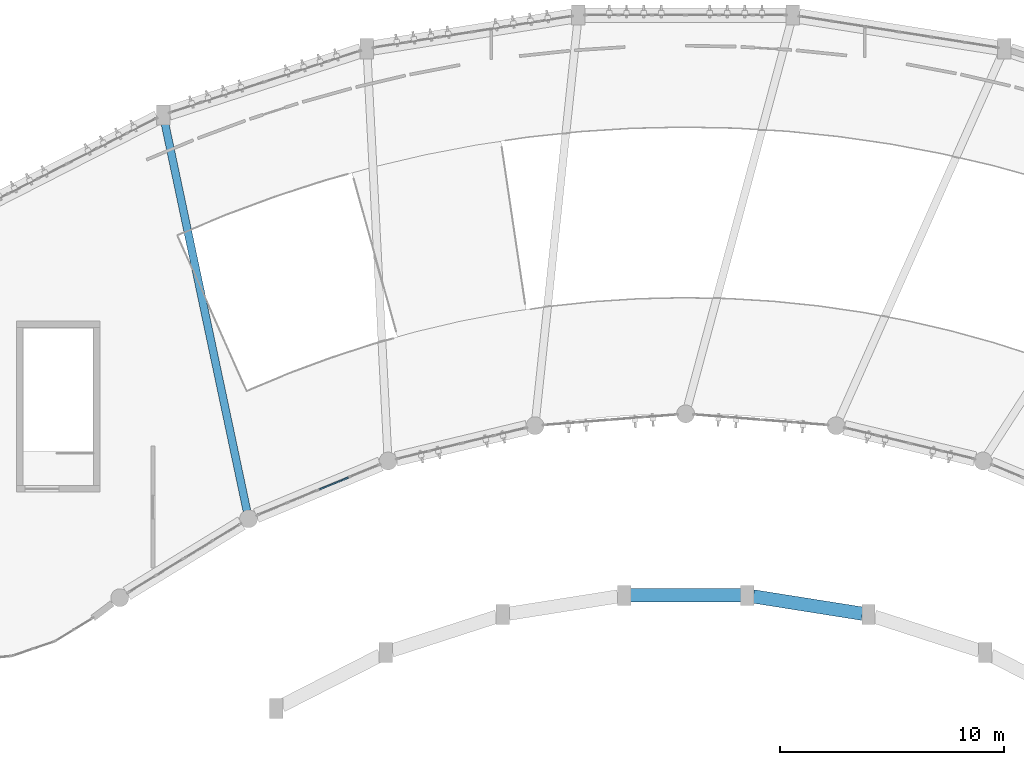
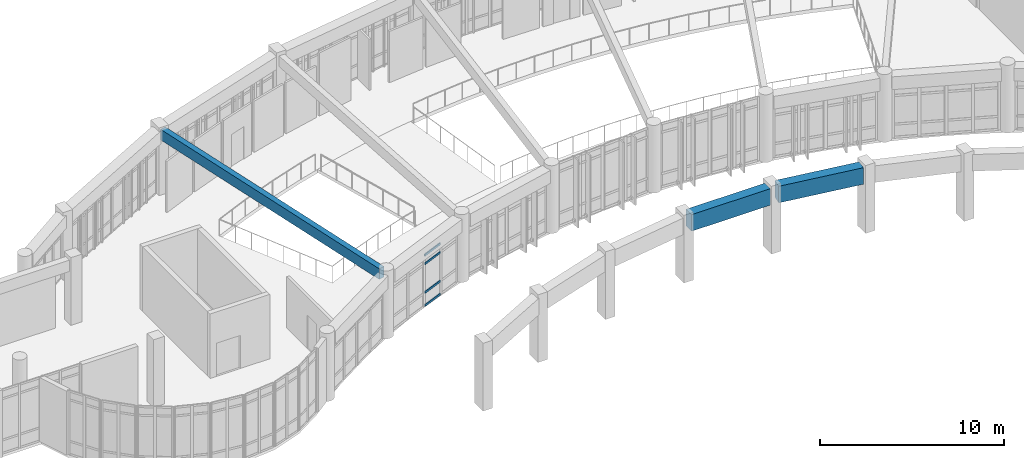
# One storey, part 13 of 54: 4 members, 3 beams, 1 element without a shape of its own.
"""IFC4 building model written with IfcOpenShell, lengths in metres."""

from ifc_helpers import new_model, si_unit, direction, frame, origin, origin_2d, place, context, subcontext, project, spatial, rectangle, extrude, material, layer, layer_set, material_profile, profile_set, type_object, element, aggregate, save


model = new_model("IFC4")

# Units and contexts
model_context = context("Model", 3, precision=1e-05, world=origin(), true_north=direction((0.0, 1.0)))
body_context = subcontext(model_context, "Body", "Model", "MODEL_VIEW")
ifc_project = project(units=[si_unit("LENGTHUNIT", "METRE"), si_unit("AREAUNIT", "SQUARE_METRE"), si_unit("VOLUMEUNIT", "CUBIC_METRE"), si_unit("PLANEANGLEUNIT", "RADIAN"), si_unit("MASSUNIT", "GRAM", prefix="KILO")], contexts=[model_context])

# Site, building, storey
site_placement = place(None, origin())
site = spatial("IfcSite", under=ifc_project, at=site_placement, CompositionType="ELEMENT")
building_placement = place(site_placement, origin())
building = spatial("IfcBuilding", under=site, at=building_placement, Name="Miralva Faculty of Natural Sciences", CompositionType="ELEMENT")
storey_placement = place(building_placement, frame((0.0, 0.0, 19.5)))
storey = spatial("IfcBuildingStorey", under=building, at=storey_placement, Name="L04", CompositionType="ELEMENT", Elevation=19.5)

# Beams
ifc_material_1 = material(Name="Concrete C40/50", Category="concrete")
ifc_material_profile_1 = material_profile(ifc_material_1, rectangle(XDim=0.35009765625, YDim=0.699951171875, at=origin_2d()), Name="RC 350x700")
ifc_profile_set_1 = profile_set([ifc_material_profile_1], Name="Concrete C40/50")
beam_type_1 = type_object("IfcBeamType", Name="BM-B04", PredefinedType="BEAM", material=ifc_profile_set_1)
beam_1_placement = place(storey_placement, frame((70.40380859375, 17.669921875, 3.909912109375), z_axis=(-0.207051718989, 0.978329998346, 0.0), x_axis=(-0.978329998346, -0.207051718989, 0.0)))
element("IfcBeam", 1, at=beam_1_placement, inside=storey, type_object=beam_type_1, Name="Swept-arc radial girder L04-8", PredefinedType="BEAM", context=body_context, shape_type="SweptSolid", body=[
    extrude(rectangle(XDim=0.35009765625, YDim=0.699951171875, at=origin_2d()), origin(), (0.0, 0.0, 1.0), 17.805908203125),
])
ifc_material_profile_2 = material_profile(ifc_material_1, rectangle(XDim=0.60009765625, YDim=1.10009765625, at=origin_2d()), Name="RC 600x1100")
ifc_profile_set_2 = profile_set([ifc_material_profile_2], Name="Concrete C40/50")
beam_type_2 = type_object("IfcBeamType", Name="BM-TG01", PredefinedType="BEAM", material=ifc_profile_set_2)
beam_2_placement = place(storey_placement, frame((97.8974609375, 13.0732421875, 3.7099609375), z_axis=(-0.987645980672, 0.156701681112, 0.0), x_axis=(-0.156701681112, -0.987645980672, 0.0)))
element("IfcBeam", 2, at=beam_2_placement, inside=storey, type_object=beam_type_2, Name="Curved chord girder SHIN L04-3", PredefinedType="BEAM", context=body_context, shape_type="SweptSolid", body=[
    extrude(rectangle(XDim=0.60009765625, YDim=1.10009765625, at=origin_2d()), origin(), (0.0, 0.0, 1.0), 4.935791015625),
])
beam_3_placement = place(storey_placement, frame((92.47412109375, 13.889892578125, 3.7099609375), z_axis=(-1.0, 0.0, 0.0), x_axis=(0.0, -1.0, 0.0)))
element("IfcBeam", 3, at=beam_3_placement, inside=storey, type_object=beam_type_2, Name="Curved chord girder SHIN L04-4", PredefinedType="BEAM", context=body_context, shape_type="SweptSolid", body=[
    extrude(rectangle(XDim=0.60009765625, YDim=1.10009765625, at=origin_2d()), origin(), (0.0, 0.0, 1.0), 4.9482421875),
])

# Curtain wall, members
ifc_material_2 = material(Name="Laminated solar-control glass", Category="glass")
ifc_layer = layer(ifc_material_2, 0.179931640625, Name="CW-ARC-L03")
ifc_layer_set = layer_set([ifc_layer], Name="Laminated solar-control glass")
curtain_wall_type = type_object("IfcCurtainWallType", Name="CW-ARC-L03", PredefinedType="USERDEFINED", material=ifc_layer_set)
curtain_wall_placement = place(storey_placement, origin())
curtain_wall = element("IfcCurtainWall", 4, at=curtain_wall_placement, inside=storey, type_object=curtain_wall_type, Name="Curtain wall CW-03 L04-160", ObjectType="UNITISED CURTAIN WALL", PredefinedType="USERDEFINED")
ifc_material_3 = material(Name="Anodised aluminium", Category="aluminium")
ifc_material_profile_3 = material_profile(ifc_material_3, rectangle(XDim=0.06494140625, YDim=0.139892578125, at=origin_2d()), Name="TRANSOM 65x140")
ifc_profile_set_3 = profile_set([ifc_material_profile_3], Name="Anodised aluminium")
member_type = type_object("IfcMemberType", Name="CW-T01", PredefinedType="USERDEFINED", material=ifc_profile_set_3)
member_1_placement = place(storey_placement, frame((73.650634765625, 18.62744140625, 0.032470703125), z_axis=(0.923883575944, 0.382673670509, 0.0), x_axis=(-0.382673670509, 0.923883575944, 0.0)))
member_1 = element("IfcMember", 5, at=member_1_placement, type_object=member_type, Name="CW-03 transom 1.1", ObjectType="TRANSOM", PredefinedType="USERDEFINED", context=body_context, shape_type="SweptSolid", body=[
    extrude(rectangle(XDim=0.06494140625, YDim=0.139892578125, at=origin_2d()), origin(), (0.0, 0.0, 1.0), 1.384521484375),
])
member_2_placement = place(storey_placement, frame((73.650634765625, 18.62744140625, 0.89990234375), z_axis=(0.923883575944, 0.382673670509, 0.0), x_axis=(-0.382673670509, 0.923883575944, 0.0)))
member_2 = element("IfcMember", 6, at=member_2_placement, type_object=member_type, Name="CW-03 transom 1.2", ObjectType="TRANSOM", PredefinedType="USERDEFINED", context=body_context, shape_type="SweptSolid", body=[
    extrude(rectangle(XDim=0.06494140625, YDim=0.139892578125, at=origin_2d()), origin(), (0.0, 0.0, 1.0), 1.384521484375),
])
member_3_placement = place(storey_placement, frame((73.650634765625, 18.62744140625, 2.804931640625), z_axis=(0.923883575944, 0.382673670509, 0.0), x_axis=(-0.382673670509, 0.923883575944, 0.0)))
member_3 = element("IfcMember", 7, at=member_3_placement, type_object=member_type, Name="CW-03 transom 1.3", ObjectType="TRANSOM", PredefinedType="USERDEFINED", context=body_context, shape_type="SweptSolid", body=[
    extrude(rectangle(XDim=0.06494140625, YDim=0.139892578125, at=origin_2d()), origin(), (0.0, 0.0, 1.0), 1.384521484375),
])
member_4_placement = place(storey_placement, frame((73.650634765625, 18.62744140625, 3.37255859375), z_axis=(0.923883575944, 0.382673670509, 0.0), x_axis=(-0.382673670509, 0.923883575944, 0.0)))
member_4 = element("IfcMember", 8, at=member_4_placement, type_object=member_type, Name="CW-03 transom 1.4", ObjectType="TRANSOM", PredefinedType="USERDEFINED", context=body_context, shape_type="SweptSolid", body=[
    extrude(rectangle(XDim=0.06494140625, YDim=0.139892578125, at=origin_2d()), origin(), (0.0, 0.0, 1.0), 1.384521484375),
])
aggregate(curtain_wall, [member_1, member_2, member_3, member_4])

save(model, "model.ifc")
